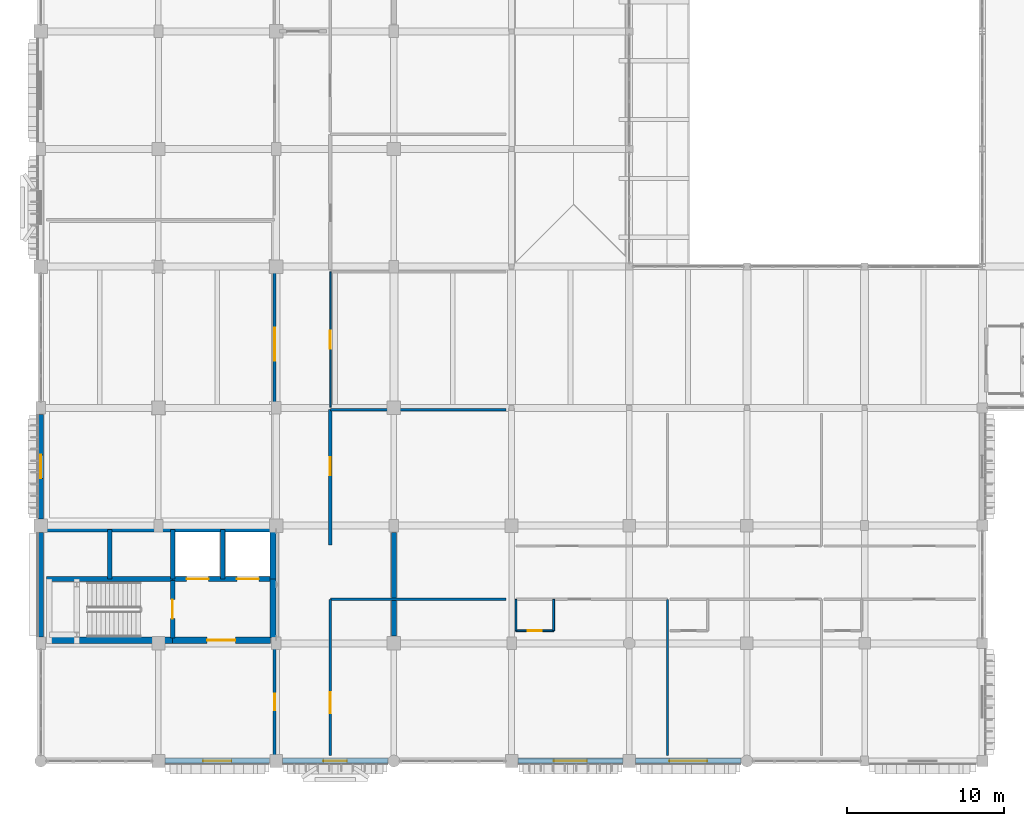
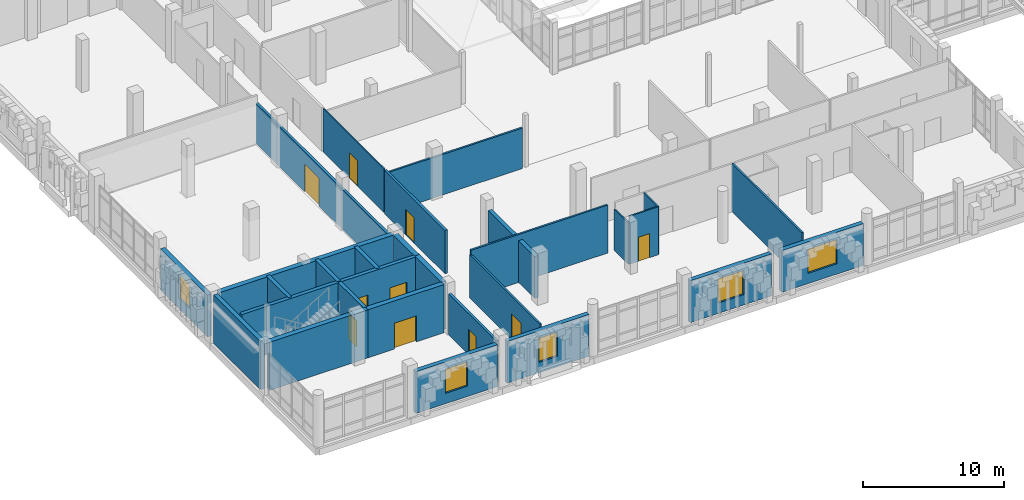
# One storey, part 95 of 128: 29 walls, 10 doors, 5 windows, 15 openings.
"""IFC4 building model written with IfcOpenShell, lengths in metres."""

from ifc_helpers import new_model, si_unit, direction, frame, frame_2d, origin, place, context, subcontext, project, spatial, rectangle, extrude, material, layer, layer_set, type_object, element, fill, save


model = new_model("IFC4")

# Units and contexts
model_context = context("Model", 3, precision=1e-05, world=origin(), true_north=direction((0.0, 1.0)))
body_context = subcontext(model_context, "Body", "Model", "MODEL_VIEW")
ifc_project = project(units=[si_unit("LENGTHUNIT", "METRE"), si_unit("AREAUNIT", "SQUARE_METRE"), si_unit("VOLUMEUNIT", "CUBIC_METRE"), si_unit("PLANEANGLEUNIT", "RADIAN"), si_unit("MASSUNIT", "GRAM", prefix="KILO")], contexts=[model_context])

# Site, building, storey
site_placement = place(None, origin())
site = spatial("IfcSite", under=ifc_project, at=site_placement, CompositionType="ELEMENT")
building_placement = place(site_placement, origin())
building = spatial("IfcBuilding", under=site, at=building_placement, Name="Dalvernix Boulevard General Hospital", CompositionType="ELEMENT")
storey_placement = place(building_placement, frame((0.0, 0.0, 4.800048828125)))
storey = spatial("IfcBuildingStorey", under=building, at=storey_placement, Name="L01", CompositionType="ELEMENT", Elevation=4.800048828125)

# Wall
ifc_material_1 = material(Name="Concrete C40/50", Category="concrete")
ifc_layer_1 = layer(ifc_material_1, 0.39990234375)
ifc_layer_set_1 = layer_set([ifc_layer_1], Name="Concrete C40/50 (WAL-CSW-01)")
wall_type_1 = type_object("IfcWallType", Name="WAL-CSW-01", PredefinedType="SHEAR", material=ifc_layer_set_1)
wall_1_placement = place(storey_placement, frame((0.35009765625, 7.699951171875, 0.0), z_axis=(0.0, 0.0, 1.0), x_axis=(1.0, 0.0, 0.0)))
element("IfcWall", 1, at=wall_1_placement, inside=storey, type_object=wall_type_1, Name="L01 C1 south stairwell wall", PredefinedType="SHEAR", context=body_context, shape_type="SweptSolid", body=[
    extrude(rectangle(XDim=8.0498046875, YDim=0.39990234375, at=frame_2d((4.02490234375, 0.0))), origin(), (0.0, 0.0, 1.0), 4.179931640625),
])

# Wall, opening, door
wall_2_placement = place(storey_placement, frame((8.39990234375, 7.699951171875, 0.0), z_axis=(0.0, 0.0, 1.0), x_axis=(1.0, 0.0, 0.0)))
wall_2 = element("IfcWall", 2, at=wall_2_placement, inside=storey, type_object=wall_type_1, Name="L01 C1 south firefighting lobby wall", PredefinedType="SHEAR", context=body_context, shape_type="SweptSolid", body=[
    extrude(rectangle(XDim=6.25, YDim=0.39990234375, at=frame_2d((3.125, 0.0))), origin(), (0.0, 0.0, 1.0), 4.179931640625),
])
opening_1_placement = place(wall_2_placement, frame((2.199951171875, 0.0, 0.0)))
opening_1 = element("IfcOpeningElement", 3, at=opening_1_placement, cuts=wall_2, Name="Opening FD-01", PredefinedType="OPENING", context=body_context, shape_type="SweptSolid", body=[
    extrude(rectangle(XDim=1.800048828125, YDim=2.25, at=frame_2d((0.89990234375, 1.125))), frame((0.0, 0.2099609375, 0.0), z_axis=(0.0, -1.0, 0.0), x_axis=(1.0, 0.0, 0.0)), (0.0, 0.0, 1.0), 0.419921875),
])
ifc_material_2 = material(Name="Hospital laminate acoustic timber and steel frame", Category="steel")
door_type_1 = type_object("IfcDoorType", Name="DR-FD-01", OperationType="DOUBLE_DOOR_SINGLE_SWING", PredefinedType="DOOR", material=ifc_material_2)
door_1_placement = place(opening_1_placement, origin())
door_1 = element("IfcDoor", 4, at=door_1_placement, inside=storey, type_object=door_type_1, Name="L01 C1 firefighting lobby door", OperationType="DOUBLE_DOOR_SINGLE_SWING", OverallHeight=2.25, OverallWidth=1.800048828125, PredefinedType="DOOR", context=body_context, shape_type="SweptSolid", body=[
    extrude(rectangle(XDim=1.800048828125, YDim=2.25, at=frame_2d((0.89990234375, 1.125))), frame((0.0, 0.02490234375, 0.0), z_axis=(0.0, -1.0, 0.0), x_axis=(1.0, 0.0, 0.0)), (0.0, 0.0, 1.0), 0.050048828125),
])
fill(opening_1, door_1)

# Walls
wall_3_placement = place(storey_placement, frame((0.35009765625, 14.800048828125, 0.0), z_axis=(0.0, 0.0, 1.0), x_axis=(1.0, 0.0, 0.0)))
element("IfcWall", 5, at=wall_3_placement, inside=storey, type_object=wall_type_1, Name="L01 C1 north shaft core wall", PredefinedType="SHEAR", context=body_context, shape_type="SweptSolid", body=[
    extrude(rectangle(XDim=14.2998046875, YDim=0.39990234375, at=frame_2d((7.14990234375, 0.0))), origin(), (0.0, 0.0, 1.0), 4.179931640625),
])
wall_4_placement = place(storey_placement, frame((14.800048828125, 7.85009765625, 0.0), z_axis=(0.0, 0.0, 1.0), x_axis=(0.0, 1.0, 0.0)))
element("IfcWall", 6, at=wall_4_placement, inside=storey, type_object=wall_type_1, Name="L01 C1 east lobby core wall", PredefinedType="SHEAR", context=body_context, shape_type="SweptSolid", body=[
    extrude(rectangle(XDim=3.75, YDim=0.39990234375, at=frame_2d((1.875, 0.0))), origin(), (0.0, 0.0, 1.0), 4.179931640625),
])
wall_5_placement = place(storey_placement, frame((14.800048828125, 11.60009765625, 0.0), z_axis=(0.0, 0.0, 1.0), x_axis=(0.0, 1.0, 0.0)))
element("IfcWall", 7, at=wall_5_placement, inside=storey, type_object=wall_type_1, Name="L01 C1 east shaft core wall", PredefinedType="SHEAR", context=body_context, shape_type="SweptSolid", body=[
    extrude(rectangle(XDim=3.0498046875, YDim=0.39990234375, at=frame_2d((1.52490234375, 0.0))), origin(), (0.0, 0.0, 1.0), 4.179931640625),
])
ifc_layer_2 = layer(ifc_material_1, 0.300048828125)
ifc_layer_set_2 = layer_set([ifc_layer_2], Name="Concrete C40/50 (WAL-CSW-02)")
wall_type_2 = type_object("IfcWallType", Name="WAL-CSW-02", PredefinedType="SHEAR", material=ifc_layer_set_2)
wall_6_placement = place(storey_placement, frame((0.35009765625, 11.60009765625, 0.0), z_axis=(0.0, 0.0, 1.0), x_axis=(1.0, 0.0, 0.0)))
element("IfcWall", 8, at=wall_6_placement, inside=storey, type_object=wall_type_2, Name="L01 C1 riser spine wall", PredefinedType="SHEAR", context=body_context, shape_type="SweptSolid", body=[
    extrude(rectangle(XDim=8.0498046875, YDim=0.300048828125, at=frame_2d((4.02490234375, 0.0))), origin(), (0.0, 0.0, 1.0), 4.179931640625),
])

# Wall, openings, doors
wall_7_placement = place(storey_placement, frame((8.39990234375, 11.60009765625, 0.0), z_axis=(0.0, 0.0, 1.0), x_axis=(1.0, 0.0, 0.0)))
wall_7 = element("IfcWall", 9, at=wall_7_placement, inside=storey, type_object=wall_type_2, Name="L01 C1 lift shaft front wall", PredefinedType="SHEAR", context=body_context, shape_type="SweptSolid", body=[
    extrude(rectangle(XDim=6.25, YDim=0.300048828125, at=frame_2d((3.125, 0.0))), origin(), (0.0, 0.0, 1.0), 4.179931640625),
])
opening_2_placement = place(wall_7_placement, frame((0.89990234375, 0.0, 0.0)))
opening_2 = element("IfcOpeningElement", 10, at=opening_2_placement, cuts=wall_7, Name="Opening LD-FFL-01-L01", PredefinedType="OPENING", context=body_context, shape_type="SweptSolid", body=[
    extrude(rectangle(XDim=1.39990234375, YDim=2.25, at=frame_2d((0.699951171875, 1.125))), frame((0.0, 0.159912109375, 0.0), z_axis=(0.0, -1.0, 0.0), x_axis=(1.0, 0.0, 0.0)), (0.0, 0.0, 1.0), 0.320068359375),
])
opening_3_placement = place(wall_7_placement, frame((4.10009765625, 0.0, 0.0)))
opening_3 = element("IfcOpeningElement", 11, at=opening_3_placement, cuts=wall_7, Name="Opening LD-FFL-02-L01", PredefinedType="OPENING", context=body_context, shape_type="SweptSolid", body=[
    extrude(rectangle(XDim=1.39990234375, YDim=2.25, at=frame_2d((0.699951171875, 1.125))), frame((0.0, 0.159912109375, 0.0), z_axis=(0.0, -1.0, 0.0), x_axis=(1.0, 0.0, 0.0)), (0.0, 0.0, 1.0), 0.320068359375),
])
ifc_material_3 = material(Name="Stainless-clad steel", Category="steel")
door_type_2 = type_object("IfcDoorType", Name="DR-LD-01", OperationType="DOUBLE_DOOR_SLIDING", PredefinedType="DOOR", material=ifc_material_3)
door_2_placement = place(opening_2_placement, origin())
door_2 = element("IfcDoor", 12, at=door_2_placement, inside=storey, type_object=door_type_2, Name="L01 Lift FFL-01 sliding landing door", OperationType="DOUBLE_DOOR_SLIDING", OverallHeight=2.25, OverallWidth=1.39990234375, PredefinedType="DOOR", context=body_context, shape_type="SweptSolid", body=[
    extrude(rectangle(XDim=1.39990234375, YDim=2.25, at=frame_2d((0.699951171875, 1.125))), frame((0.0, 0.02490234375, 0.0), z_axis=(0.0, -1.0, 0.0), x_axis=(1.0, 0.0, 0.0)), (0.0, 0.0, 1.0), 0.050048828125),
])
fill(opening_2, door_2)
door_3_placement = place(opening_3_placement, origin())
door_3 = element("IfcDoor", 13, at=door_3_placement, inside=storey, type_object=door_type_2, Name="L01 Lift FFL-02 sliding landing door", OperationType="DOUBLE_DOOR_SLIDING", OverallHeight=2.25, OverallWidth=1.39990234375, PredefinedType="DOOR", context=body_context, shape_type="SweptSolid", body=[
    extrude(rectangle(XDim=1.39990234375, YDim=2.25, at=frame_2d((0.699951171875, 1.125))), frame((0.0, 0.02490234375, 0.0), z_axis=(0.0, -1.0, 0.0), x_axis=(1.0, 0.0, 0.0)), (0.0, 0.0, 1.0), 0.050048828125),
])
fill(opening_3, door_3)

# Wall, opening, door
wall_8_placement = place(storey_placement, frame((8.39990234375, 11.5, 0.0), z_axis=(0.0, 0.0, 1.0), x_axis=(0.0, -1.0, 0.0)))
wall_8 = element("IfcWall", 14, at=wall_8_placement, inside=storey, type_object=wall_type_2, Name="L01 C1 stairwell fire wall", PredefinedType="SHEAR", context=body_context, shape_type="SweptSolid", body=[
    extrude(rectangle(XDim=3.64990234375, YDim=0.300048828125, at=frame_2d((1.824951171875, 0.0))), origin(), (0.0, 0.0, 1.0), 4.179931640625),
])
opening_4_placement = place(wall_8_placement, frame((1.219970703125, 0.0, 0.0)))
opening_4 = element("IfcOpeningElement", 15, at=opening_4_placement, cuts=wall_8, Name="Opening FD-02", PredefinedType="OPENING", context=body_context, shape_type="SweptSolid", body=[
    extrude(rectangle(XDim=1.199951171875, YDim=2.25, at=frame_2d((0.60009765625, 1.125))), frame((0.0, 0.159912109375, 0.0), z_axis=(0.0, -1.0, 0.0), x_axis=(1.0, 0.0, 0.0)), (0.0, 0.0, 1.0), 0.320068359375),
])
door_type_3 = type_object("IfcDoorType", Name="DR-FD-02", OperationType="NOTDEFINED", PredefinedType="DOOR", material=ifc_material_2)
door_4_placement = place(opening_4_placement, origin())
door_4 = element("IfcDoor", 16, at=door_4_placement, inside=storey, type_object=door_type_3, Name="L01 Stair ST-01 fire door", OperationType="SINGLE_SWING_LEFT", OverallHeight=2.25, OverallWidth=1.199951171875, PredefinedType="DOOR", context=body_context, shape_type="SweptSolid", body=[
    extrude(rectangle(XDim=1.199951171875, YDim=2.25, at=frame_2d((0.60009765625, 1.125))), frame((0.0, 0.02490234375, 0.0), z_axis=(0.0, -1.0, 0.0), x_axis=(1.0, 0.0, 0.0)), (0.0, 0.0, 1.0), 0.050048828125),
])
fill(opening_4, door_4)

# Walls
for number, where, z_axis, x_axis, name in (
    (17, (4.39990234375, 11.60009765625, 0.0), (0.0, 0.0, 1.0), (0.0, 1.0, 0.0), "L01 C1 shaft divider R1"),
    (18, (8.39990234375, 11.60009765625, 0.0), (0.0, 0.0, 1.0), (0.0, 1.0, 0.0), "L01 C1 shaft divider R2"),
    (19, (11.60009765625, 11.60009765625, 0.0), (0.0, 0.0, 1.0), (0.0, 1.0, 0.0), "L01 C1 shaft divider L1"),
):
    element("IfcWall", number, at=place(storey_placement, frame(where, z_axis=z_axis, x_axis=x_axis)), inside=storey, type_object=wall_type_2, Name=name, PredefinedType="SHEAR", context=body_context, shape_type="SweptSolid", body=[
        extrude(rectangle(XDim=3.14990234375, YDim=0.300048828125, at=frame_2d((1.574951171875, 0.0))), origin(), (0.0, 0.0, 1.0), 4.179931640625),
    ])
ifc_layer_3 = layer(ifc_material_1, 0.35009765625)
ifc_layer_set_3 = layer_set([ifc_layer_3], Name="Concrete C40/50 (WAL-ESW-01)")
wall_type_3 = type_object("IfcWallType", Name="WAL-ESW-01", PredefinedType="SHEAR", material=ifc_layer_set_3)
wall_9_placement = place(storey_placement, frame((0.0, 7.909912109375, 0.0), z_axis=(0.0, 0.0, 1.0), x_axis=(0.0, 1.0, 0.0)))
element("IfcWall", 20, at=wall_9_placement, inside=storey, type_object=wall_type_3, Name="L01 core perimeter shear wall W 0-1", PredefinedType="SHEAR", context=body_context, shape_type="SweptSolid", body=[
    extrude(rectangle(XDim=6.655029296875, YDim=0.35009765625, at=frame_2d((3.32763671875, 0.0))), origin(), (0.0, 0.0, 1.0), 4.179931640625),
])
ifc_layer_4 = layer(ifc_material_1, 0.320068359375)
ifc_layer_set_4 = layer_set([ifc_layer_4], Name="Concrete C40/50 (WAL-ESW-02)")
wall_type_4 = type_object("IfcWallType", Name="WAL-ESW-02", PredefinedType="SHEAR", material=ifc_layer_set_4)
wall_10_placement = place(storey_placement, frame((22.5, 7.949951171875, 0.0), z_axis=(0.0, 0.0, 1.0), x_axis=(0.0, 1.0, 0.0)))
element("IfcWall", 21, at=wall_10_placement, inside=storey, type_object=wall_type_4, Name="L01 reinforced concrete shear wall 1", PredefinedType="SHEAR", context=body_context, shape_type="SweptSolid", body=[
    extrude(rectangle(XDim=6.60009765625, YDim=0.320068359375, at=frame_2d((3.300048828125, 0.0))), origin(), (0.0, 0.0, 1.0), 3.6298828125),
])

# Wall, opening, window
ifc_material_4 = material(Name="Pressed Catalan clay brick and insulated concrete cavity wall C35/45", Category="masonry")
ifc_layer_5 = layer(ifc_material_4, 0.35009765625)
ifc_layer_set_5 = layer_set([ifc_layer_5], Name="Pressed Catalan clay brick and insulated concrete cavity wall C35/45 (WAL-EW-01)")
wall_type_5 = type_object("IfcWallType", Name="WAL-EW-01", PredefinedType="STANDARD", material=ifc_layer_set_5)
wall_11_placement = place(storey_placement, frame((0.0, 15.43505859375, 0.0), z_axis=(0.0, 0.0, 1.0), x_axis=(0.0, 1.0, 0.0)))
wall_11 = element("IfcWall", 22, at=wall_11_placement, inside=storey, type_object=wall_type_5, Name="L01 Catalan brick external wall W 0-2", PredefinedType="STANDARD", context=body_context, shape_type="SweptSolid", body=[
    extrude(rectangle(XDim=6.655029296875, YDim=0.35009765625, at=frame_2d((3.32763671875, 0.0))), origin(), (0.0, 0.0, 1.0), 3.6298828125),
])
opening_5_placement = place(wall_11_placement, frame((2.577392578125, 0.0, 0.89990234375)))
opening_5 = element("IfcOpeningElement", 23, at=opening_5_placement, cuts=wall_11, Name="Opening WN-06", PredefinedType="OPENING", context=body_context, shape_type="SweptSolid", body=[
    extrude(rectangle(XDim=1.5, YDim=2.10009765625, at=frame_2d((0.75, 1.050048828125))), frame((0.0, 0.18505859375, 0.0), z_axis=(0.0, -1.0, 0.0), x_axis=(1.0, 0.0, 0.0)), (0.0, 0.0, 1.0), 0.3701171875),
])
ifc_material_5 = material(Name="Thermally broken aluminium frame with solar-control double glazing", Category="aluminium")
window_type_1 = type_object("IfcWindowType", Name="WIN-WN-06", PartitioningType="SINGLE_PANEL", PredefinedType="WINDOW", material=ifc_material_5)
window_1_placement = place(opening_5_placement, origin())
window_1 = element("IfcWindow", 24, at=window_1_placement, inside=storey, type_object=window_type_1, Name="L01 clinical window WN-06 W 0-2", OverallHeight=2.10009765625, OverallWidth=1.5, PartitioningType="SINGLE_PANEL", PredefinedType="WINDOW", context=body_context, shape_type="SweptSolid", body=[
    extrude(rectangle(XDim=1.5, YDim=2.10009765625, at=frame_2d((0.75, 1.050048828125))), frame((0.0, 0.030029296875, 0.0), z_axis=(0.0, -1.0, 0.0), x_axis=(1.0, 0.0, 0.0)), (0.0, 0.0, 1.0), 0.06005859375),
])
fill(opening_5, window_1)

wall_12_placement = place(storey_placement, frame((14.590087890625, 0.0, 0.0), z_axis=(0.0, 0.0, 1.0), x_axis=(-1.0, 0.0, 0.0)))
wall_12 = element("IfcWall", 25, at=wall_12_placement, inside=storey, type_object=wall_type_5, Name="L01 Catalan brick external wall S 1-0", PredefinedType="STANDARD", context=body_context, shape_type="SweptSolid", body=[
    extrude(rectangle(XDim=6.68017578125, YDim=0.35009765625, at=frame_2d((3.340087890625, 0.0))), origin(), (0.0, 0.0, 1.0), 3.6298828125),
])
opening_6_placement = place(wall_12_placement, frame((2.43994140625, 0.0, 0.89990234375)))
opening_6 = element("IfcOpeningElement", 26, at=opening_6_placement, cuts=wall_12, Name="Opening WN-05", PredefinedType="OPENING", context=body_context, shape_type="SweptSolid", body=[
    extrude(rectangle(XDim=1.800048828125, YDim=2.10009765625, at=frame_2d((0.89990234375, 1.050048828125))), frame((0.0, 0.18505859375, 0.0), z_axis=(0.0, -1.0, 0.0), x_axis=(1.0, 0.0, 0.0)), (0.0, 0.0, 1.0), 0.3701171875),
])
window_type_2 = type_object("IfcWindowType", Name="WIN-WN-05", PartitioningType="SINGLE_PANEL", PredefinedType="WINDOW", material=ifc_material_5)
window_2_placement = place(opening_6_placement, origin())
window_2 = element("IfcWindow", 27, at=window_2_placement, inside=storey, type_object=window_type_2, Name="L01 clinical window WN-05 S 1-0", OverallHeight=2.10009765625, OverallWidth=1.800048828125, PartitioningType="SINGLE_PANEL", PredefinedType="WINDOW", context=body_context, shape_type="SweptSolid", body=[
    extrude(rectangle(XDim=1.800048828125, YDim=2.10009765625, at=frame_2d((0.89990234375, 1.050048828125))), frame((0.0, 0.030029296875, 0.0), z_axis=(0.0, -1.0, 0.0), x_axis=(1.0, 0.0, 0.0)), (0.0, 0.0, 1.0), 0.06005859375),
])
fill(opening_6, window_2)

wall_13_placement = place(storey_placement, frame((22.114990234375, 0.0, 0.0), z_axis=(0.0, 0.0, 1.0), x_axis=(-1.0, 0.0, 0.0)))
wall_13 = element("IfcWall", 28, at=wall_13_placement, inside=storey, type_object=wall_type_5, Name="L01 Catalan brick external wall S 2-0", PredefinedType="STANDARD", context=body_context, shape_type="SweptSolid", body=[
    extrude(rectangle(XDim=6.705078125, YDim=0.35009765625, at=frame_2d((3.3525390625, 0.0))), origin(), (0.0, 0.0, 1.0), 3.6298828125),
])
opening_7_placement = place(wall_13_placement, frame((2.6025390625, 0.0, 0.89990234375)))
opening_7 = element("IfcOpeningElement", 29, at=opening_7_placement, cuts=wall_13, Name="Opening WN-06", PredefinedType="OPENING", context=body_context, shape_type="SweptSolid", body=[
    extrude(rectangle(XDim=1.5, YDim=2.10009765625, at=frame_2d((0.75, 1.050048828125))), frame((0.0, 0.18505859375, 0.0), z_axis=(0.0, -1.0, 0.0), x_axis=(1.0, 0.0, 0.0)), (0.0, 0.0, 1.0), 0.3701171875),
])
window_3_placement = place(opening_7_placement, origin())
window_3 = element("IfcWindow", 30, at=window_3_placement, inside=storey, type_object=window_type_1, Name="L01 clinical window WN-06 S 2-0", OverallHeight=2.10009765625, OverallWidth=1.5, PartitioningType="SINGLE_PANEL", PredefinedType="WINDOW", context=body_context, shape_type="SweptSolid", body=[
    extrude(rectangle(XDim=1.5, YDim=2.10009765625, at=frame_2d((0.75, 1.050048828125))), frame((0.0, 0.030029296875, 0.0), z_axis=(0.0, -1.0, 0.0), x_axis=(1.0, 0.0, 0.0)), (0.0, 0.0, 1.0), 0.06005859375),
])
fill(opening_7, window_3)

wall_14_placement = place(storey_placement, frame((37.090087890625, 0.0, 0.0), z_axis=(0.0, 0.0, 1.0), x_axis=(-1.0, 0.0, 0.0)))
wall_14 = element("IfcWall", 31, at=wall_14_placement, inside=storey, type_object=wall_type_5, Name="L01 Catalan brick external wall S 4-0", PredefinedType="STANDARD", context=body_context, shape_type="SweptSolid", body=[
    extrude(rectangle(XDim=6.68017578125, YDim=0.35009765625, at=frame_2d((3.340087890625, 0.0))), origin(), (0.0, 0.0, 1.0), 3.6298828125),
])
opening_8_placement = place(wall_14_placement, frame((2.2900390625, 0.0, 0.89990234375)))
opening_8 = element("IfcOpeningElement", 32, at=opening_8_placement, cuts=wall_14, Name="Opening WN-08", PredefinedType="OPENING", context=body_context, shape_type="SweptSolid", body=[
    extrude(rectangle(XDim=2.10009765625, YDim=2.10009765625, at=frame_2d((1.050048828125, 1.050048828125))), frame((0.0, 0.18505859375, 0.0), z_axis=(0.0, -1.0, 0.0), x_axis=(1.0, 0.0, 0.0)), (0.0, 0.0, 1.0), 0.3701171875),
])
window_type_3 = type_object("IfcWindowType", Name="WIN-WN-08", PartitioningType="SINGLE_PANEL", PredefinedType="WINDOW", material=ifc_material_5)
window_4_placement = place(opening_8_placement, origin())
window_4 = element("IfcWindow", 33, at=window_4_placement, inside=storey, type_object=window_type_3, Name="L01 clinical window WN-08 S 4-0", OverallHeight=2.10009765625, OverallWidth=2.10009765625, PartitioningType="SINGLE_PANEL", PredefinedType="WINDOW", context=body_context, shape_type="SweptSolid", body=[
    extrude(rectangle(XDim=2.10009765625, YDim=2.10009765625, at=frame_2d((1.050048828125, 1.050048828125))), frame((0.0, 0.030029296875, 0.0), z_axis=(0.0, -1.0, 0.0), x_axis=(1.0, 0.0, 0.0)), (0.0, 0.0, 1.0), 0.06005859375),
])
fill(opening_8, window_4)

wall_15_placement = place(storey_placement, frame((44.614990234375, 0.0, 0.0), z_axis=(0.0, 0.0, 1.0), x_axis=(-1.0, 0.0, 0.0)))
wall_15 = element("IfcWall", 34, at=wall_15_placement, inside=storey, type_object=wall_type_5, Name="L01 Catalan brick external wall S 5-0", PredefinedType="STANDARD", context=body_context, shape_type="SweptSolid", body=[
    extrude(rectangle(XDim=6.705078125, YDim=0.35009765625, at=frame_2d((3.3525390625, 0.0))), origin(), (0.0, 0.0, 1.0), 3.6298828125),
])
opening_9_placement = place(wall_15_placement, frame((2.152587890625, 0.0, 0.89990234375)))
opening_9 = element("IfcOpeningElement", 35, at=opening_9_placement, cuts=wall_15, Name="Opening WN-09", PredefinedType="OPENING", context=body_context, shape_type="SweptSolid", body=[
    extrude(rectangle(XDim=2.39990234375, YDim=2.10009765625, at=frame_2d((1.199951171875, 1.050048828125))), frame((0.0, 0.18505859375, 0.0), z_axis=(0.0, -1.0, 0.0), x_axis=(1.0, 0.0, 0.0)), (0.0, 0.0, 1.0), 0.3701171875),
])
window_type_4 = type_object("IfcWindowType", Name="WIN-WN-09", PartitioningType="SINGLE_PANEL", PredefinedType="WINDOW", material=ifc_material_5)
window_5_placement = place(opening_9_placement, origin())
window_5 = element("IfcWindow", 36, at=window_5_placement, inside=storey, type_object=window_type_4, Name="L01 clinical window WN-09 S 5-0", OverallHeight=2.10009765625, OverallWidth=2.39990234375, PartitioningType="SINGLE_PANEL", PredefinedType="WINDOW", context=body_context, shape_type="SweptSolid", body=[
    extrude(rectangle(XDim=2.39990234375, YDim=2.10009765625, at=frame_2d((1.199951171875, 1.050048828125))), frame((0.0, 0.030029296875, 0.0), z_axis=(0.0, -1.0, 0.0), x_axis=(1.0, 0.0, 0.0)), (0.0, 0.0, 1.0), 0.06005859375),
])
fill(opening_9, window_5)

# Wall, opening, door
ifc_material_6 = material(Name="Fire-compartment corridor masonry wall", Category="masonry")
ifc_layer_6 = layer(ifc_material_6, 0.199951171875)
ifc_layer_set_6 = layer_set([ifc_layer_6], Name="Fire-compartment corridor masonry wall (WAL-IW-02)")
wall_type_6 = type_object("IfcWallType", Name="WAL-IW-02", PredefinedType="STANDARD", material=ifc_layer_set_6)
wall_16_placement = place(storey_placement, frame((14.89990234375, 15.300048828125, 0.0), z_axis=(0.0, 0.0, 1.0), x_axis=(0.0, 1.0, 0.0)))
wall_16 = element("IfcWall", 37, at=wall_16_placement, inside=storey, type_object=wall_type_6, Name="L01 Medical Lecture Auditorium corridor wall", PredefinedType="STANDARD", context=body_context, shape_type="SweptSolid", body=[
    extrude(rectangle(XDim=19.199951171875, YDim=0.199951171875, at=frame_2d((9.60009765625, 0.0))), origin(), (0.0, 0.0, 1.0), 3.46484375),
])
opening_10_placement = place(wall_16_placement, frame((10.2099609375, 0.0, 0.0)))
opening_10 = element("IfcOpeningElement", 38, at=opening_10_placement, cuts=wall_16, Name="Opening ID-13", PredefinedType="OPENING", context=body_context, shape_type="SweptSolid", body=[
    extrude(rectangle(XDim=2.10009765625, YDim=2.39990234375, at=frame_2d((1.050048828125, 1.199951171875))), frame((0.0, 0.10986328125, 0.0), z_axis=(0.0, -1.0, 0.0), x_axis=(1.0, 0.0, 0.0)), (0.0, 0.0, 1.0), 0.219970703125),
])
door_type_4 = type_object("IfcDoorType", Name="DR-ID-13", OperationType="DOUBLE_DOOR_SINGLE_SWING", PredefinedType="DOOR", material=ifc_material_2)
door_5_placement = place(opening_10_placement, origin())
door_5 = element("IfcDoor", 39, at=door_5_placement, inside=storey, type_object=door_type_4, Name="L01 Medical Lecture Auditorium door", OperationType="DOUBLE_DOOR_SINGLE_SWING", OverallHeight=2.39990234375, OverallWidth=2.10009765625, PredefinedType="DOOR", context=body_context, shape_type="SweptSolid", body=[
    extrude(rectangle(XDim=2.10009765625, YDim=2.39990234375, at=frame_2d((1.050048828125, 1.199951171875))), frame((0.0, 0.02490234375, 0.0), z_axis=(0.0, -1.0, 0.0), x_axis=(1.0, 0.0, 0.0)), (0.0, 0.0, 1.0), 0.050048828125),
])
fill(opening_10, door_5)

wall_17_placement = place(storey_placement, frame((14.89990234375, 0.35009765625, 0.0), z_axis=(0.0, 0.0, 1.0), x_axis=(0.0, 1.0, 0.0)))
wall_17 = element("IfcWall", 40, at=wall_17_placement, inside=storey, type_object=wall_type_6, Name="L01 Clinical Teaching Seminar Room 01 corridor wall", PredefinedType="STANDARD", context=body_context, shape_type="SweptSolid", body=[
    extrude(rectangle(XDim=6.7998046875, YDim=0.199951171875, at=frame_2d((3.39990234375, 0.0))), origin(), (0.0, 0.0, 1.0), 3.56494140625),
])
opening_11_placement = place(wall_17_placement, frame((2.875, 0.0, 0.0)))
opening_11 = element("IfcOpeningElement", 41, at=opening_11_placement, cuts=wall_17, Name="Opening ID-07", PredefinedType="OPENING", context=body_context, shape_type="SweptSolid", body=[
    extrude(rectangle(XDim=1.050048828125, YDim=2.199951171875, at=frame_2d((0.52490234375, 1.10009765625))), frame((0.0, 0.10986328125, 0.0), z_axis=(0.0, -1.0, 0.0), x_axis=(1.0, 0.0, 0.0)), (0.0, 0.0, 1.0), 0.219970703125),
])
door_type_5 = type_object("IfcDoorType", Name="DR-ID-07", OperationType="NOTDEFINED", PredefinedType="DOOR", material=ifc_material_2)
door_6_placement = place(opening_11_placement, origin())
door_6 = element("IfcDoor", 42, at=door_6_placement, inside=storey, type_object=door_type_5, Name="L01 Clinical Teaching Seminar Room 01 door", OperationType="SINGLE_SWING_RIGHT", OverallHeight=2.199951171875, OverallWidth=1.050048828125, PredefinedType="DOOR", context=body_context, shape_type="SweptSolid", body=[
    extrude(rectangle(XDim=1.050048828125, YDim=2.199951171875, at=frame_2d((0.52490234375, 1.10009765625))), frame((0.0, 0.02490234375, 0.0), z_axis=(0.0, -1.0, 0.0), x_axis=(1.0, 0.0, 0.0)), (0.0, 0.0, 1.0), 0.050048828125),
])
fill(opening_11, door_6)

wall_18_placement = place(storey_placement, frame((18.449951171875, 22.39208984375, 0.0), z_axis=(0.0, 0.0, 1.0), x_axis=(0.0, -1.0, 0.0)))
wall_18 = element("IfcWall", 43, at=wall_18_placement, inside=storey, type_object=wall_type_6, Name="L01 Ward Nurse Station and Medication Prep L01 corridor wall", PredefinedType="STANDARD", context=body_context, shape_type="SweptSolid", body=[
    extrude(rectangle(XDim=8.612060546875, YDim=0.199951171875, at=frame_2d((4.30615234375, 0.0))), origin(), (0.0, 0.0, 1.0), 3.764892578125),
])
opening_12_placement = place(wall_18_placement, frame((3.034912109375, 0.0, 0.0)))
opening_12 = element("IfcOpeningElement", 44, at=opening_12_placement, cuts=wall_18, Name="Opening ID-08", PredefinedType="OPENING", context=body_context, shape_type="SweptSolid", body=[
    extrude(rectangle(XDim=1.14990234375, YDim=2.199951171875, at=frame_2d((0.574951171875, 1.10009765625))), frame((0.0, 0.10986328125, 0.0), z_axis=(0.0, -1.0, 0.0), x_axis=(1.0, 0.0, 0.0)), (0.0, 0.0, 1.0), 0.219970703125),
])
door_type_6 = type_object("IfcDoorType", Name="DR-ID-08", OperationType="NOTDEFINED", PredefinedType="DOOR", material=ifc_material_2)
door_7_placement = place(opening_12_placement, origin())
door_7 = element("IfcDoor", 45, at=door_7_placement, inside=storey, type_object=door_type_6, Name="L01 Ward Nurse Station and Medication Prep L01 door", OperationType="SINGLE_SWING_RIGHT", OverallHeight=2.199951171875, OverallWidth=1.14990234375, PredefinedType="DOOR", context=body_context, shape_type="SweptSolid", body=[
    extrude(rectangle(XDim=1.14990234375, YDim=2.199951171875, at=frame_2d((0.574951171875, 1.10009765625))), frame((0.0, 0.02490234375, 0.0), z_axis=(0.0, -1.0, 0.0), x_axis=(1.0, 0.0, 0.0)), (0.0, 0.0, 1.0), 0.050048828125),
])
fill(opening_12, door_7)

ifc_material_7 = material(Name="Acoustic double-stud gypsum inpatient partition")
ifc_layer_7 = layer(ifc_material_7, 0.14990234375)
ifc_layer_set_7 = layer_set([ifc_layer_7], Name="Acoustic double-stud gypsum inpatient partition (WAL-IW-04)")
wall_type_7 = type_object("IfcWallType", Name="WAL-IW-04", PredefinedType="PARTITIONING", material=ifc_layer_set_7)
wall_19_placement = place(storey_placement, frame((18.449951171875, 10.300048828125, 0.0), z_axis=(0.0, 0.0, 1.0), x_axis=(0.0, -1.0, 0.0)))
wall_19 = element("IfcWall", 46, at=wall_19_placement, inside=storey, type_object=wall_type_7, Name="L01 Clinical Reception and Triage L01 corridor wall", PredefinedType="PARTITIONING", context=body_context, shape_type="SweptSolid", body=[
    extrude(rectangle(XDim=9.949951171875, YDim=0.14990234375, at=frame_2d((4.97509765625, 0.0))), origin(), (0.0, 0.0, 1.0), 3.764892578125),
])
opening_13_placement = place(wall_19_placement, frame((5.919921875, 0.0, 0.0)))
opening_13 = element("IfcOpeningElement", 47, at=opening_13_placement, cuts=wall_19, Name="Opening ID-01", PredefinedType="OPENING", context=body_context, shape_type="SweptSolid", body=[
    extrude(rectangle(XDim=1.35009765625, YDim=2.25, at=frame_2d((0.675048828125, 1.125))), frame((0.0, 0.0849609375, 0.0), z_axis=(0.0, -1.0, 0.0), x_axis=(1.0, 0.0, 0.0)), (0.0, 0.0, 1.0), 0.169921875),
])
door_type_7 = type_object("IfcDoorType", Name="DR-ID-01", OperationType="NOTDEFINED", PredefinedType="DOOR", material=ifc_material_2)
door_8_placement = place(opening_13_placement, origin())
door_8 = element("IfcDoor", 48, at=door_8_placement, inside=storey, type_object=door_type_7, Name="L01 Clinical Reception and Triage L01 door", OperationType="SINGLE_SWING_LEFT", OverallHeight=2.25, OverallWidth=1.35009765625, PredefinedType="DOOR", context=body_context, shape_type="SweptSolid", body=[
    extrude(rectangle(XDim=1.35009765625, YDim=2.25, at=frame_2d((0.675048828125, 1.125))), frame((0.0, 0.02490234375, 0.0), z_axis=(0.0, -1.0, 0.0), x_axis=(1.0, 0.0, 0.0)), (0.0, 0.0, 1.0), 0.050048828125),
])
fill(opening_13, door_8)

# Walls
wall_20_placement = place(storey_placement, frame((18.449951171875, 10.300048828125, 0.0), z_axis=(0.0, 0.0, 1.0), x_axis=(1.0, 0.0, 0.0)))
element("IfcWall", 49, at=wall_20_placement, inside=storey, type_object=wall_type_7, Name="L01 Clinical Reception and Triage L01 partition", PredefinedType="PARTITIONING", context=body_context, shape_type="SweptSolid", body=[
    extrude(rectangle(XDim=11.199951171875, YDim=0.14990234375, at=frame_2d((5.60009765625, 0.0))), origin(), (0.0, 0.0, 1.0), 4.1650390625),
])
wall_21_placement = place(storey_placement, frame((18.449951171875, 22.39208984375, 0.0), z_axis=(0.0, 0.0, 1.0), x_axis=(1.0, 0.0, 0.0)))
element("IfcWall", 50, at=wall_21_placement, inside=storey, type_object=wall_type_7, Name="L01 Ward Nurse Station and Medication Prep L01 partition", PredefinedType="PARTITIONING", context=body_context, shape_type="SweptSolid", body=[
    extrude(rectangle(XDim=11.199951171875, YDim=0.14990234375, at=frame_2d((5.60009765625, 0.0))), origin(), (0.0, 0.0, 1.0), 3.514892578125),
])
wall_22_placement = place(storey_placement, frame((39.936767578125, 0.35009765625, 0.0), z_axis=(0.0, 0.0, 1.0), x_axis=(0.0, 1.0, 0.0)))
element("IfcWall", 51, at=wall_22_placement, inside=storey, type_object=wall_type_7, Name="L01 Inpatient Ward Suite L01-S1 partition", PredefinedType="PARTITIONING", context=body_context, shape_type="SweptSolid", body=[
    extrude(rectangle(XDim=9.949951171875, YDim=0.14990234375, at=frame_2d((4.97509765625, 0.0))), origin(), (0.0, 0.0, 1.0), 4.1650390625),
])

# Wall, opening, door
ifc_material_8 = material(Name="Moisture-resistant en-suite bathroom partition")
ifc_layer_8 = layer(ifc_material_8, 0.1201171875)
ifc_layer_set_8 = layer_set([ifc_layer_8], Name="Moisture-resistant en-suite bathroom partition (WAL-IW-05)")
wall_type_8 = type_object("IfcWallType", Name="WAL-IW-05", PredefinedType="PARTITIONING", material=ifc_layer_set_8)
wall_23_placement = place(storey_placement, frame((30.280029296875, 8.300048828125, 0.0), z_axis=(0.0, 0.0, 1.0), x_axis=(1.0, 0.0, 0.0)))
wall_23 = element("IfcWall", 52, at=wall_23_placement, inside=storey, type_object=wall_type_8, Name="L01 en-suite bathroom door wall", PredefinedType="PARTITIONING", context=body_context, shape_type="SweptSolid", body=[
    extrude(rectangle(XDim=2.39990234375, YDim=0.1201171875, at=frame_2d((1.199951171875, 0.0))), origin(), (0.0, 0.0, 1.0), 4.1650390625),
])
opening_14_placement = place(wall_23_placement, frame((0.75, 0.0, 0.0)))
opening_14 = element("IfcOpeningElement", 53, at=opening_14_placement, cuts=wall_23, Name="Opening ID-05", PredefinedType="OPENING", context=body_context, shape_type="SweptSolid", body=[
    extrude(rectangle(XDim=0.89990234375, YDim=2.10009765625, at=frame_2d((0.449951171875, 1.050048828125))), frame((0.0, 0.070068359375, 0.0), z_axis=(0.0, -1.0, 0.0), x_axis=(1.0, 0.0, 0.0)), (0.0, 0.0, 1.0), 0.14013671875),
])
door_type_8 = type_object("IfcDoorType", Name="DR-ID-05", OperationType="NOTDEFINED", PredefinedType="DOOR", material=ifc_material_2)
door_9_placement = place(opening_14_placement, origin())
door_9 = element("IfcDoor", 54, at=door_9_placement, inside=storey, type_object=door_type_8, Name="L01 L01-SW-S1 en-suite bathroom door", OperationType="SINGLE_SWING_RIGHT", OverallHeight=2.10009765625, OverallWidth=0.89990234375, PredefinedType="DOOR", context=body_context, shape_type="SweptSolid", body=[
    extrude(rectangle(XDim=0.89990234375, YDim=2.10009765625, at=frame_2d((0.449951171875, 1.050048828125))), frame((0.0, 0.02490234375, 0.0), z_axis=(0.0, -1.0, 0.0), x_axis=(1.0, 0.0, 0.0)), (0.0, 0.0, 1.0), 0.050048828125),
])
fill(opening_14, door_9)

# Walls
wall_24_placement = place(storey_placement, frame((32.679931640625, 8.300048828125, 0.0), z_axis=(0.0, 0.0, 1.0), x_axis=(0.0, 1.0, 0.0)))
element("IfcWall", 55, at=wall_24_placement, inside=storey, type_object=wall_type_8, Name="L01 en-suite bathroom side wall", PredefinedType="PARTITIONING", context=body_context, shape_type="SweptSolid", body=[
    extrude(rectangle(XDim=2.0, YDim=0.1201171875, at=frame_2d((1.0, 0.0))), origin(), (0.0, 0.0, 1.0), 4.1650390625),
])
wall_25_placement = place(storey_placement, frame((30.280029296875, 8.300048828125, 0.0), z_axis=(0.0, 0.0, 1.0), x_axis=(0.0, 1.0, 0.0)))
element("IfcWall", 56, at=wall_25_placement, inside=storey, type_object=wall_type_8, Name="L01 En-suite Bathroom SW-S1 enclosure wall W", PredefinedType="PARTITIONING", context=body_context, shape_type="SweptSolid", body=[
    extrude(rectangle(XDim=2.0, YDim=0.1201171875, at=frame_2d((1.0, 0.0))), origin(), (0.0, 0.0, 1.0), 3.56494140625),
])

# Wall, opening, door
ifc_material_9 = material(Name="Fire-resisting clinical sub-partition")
ifc_layer_9 = layer(ifc_material_9, 0.10009765625)
ifc_layer_set_9 = layer_set([ifc_layer_9], Name="Fire-resisting clinical sub-partition (WAL-IW-06)")
wall_type_9 = type_object("IfcWallType", Name="WAL-IW-06", PredefinedType="PARTITIONING", material=ifc_layer_set_9)
wall_26_placement = place(storey_placement, frame((18.449951171875, 31.164306640625, 0.0), z_axis=(0.0, 0.0, 1.0), x_axis=(0.0, -1.0, 0.0)))
wall_26 = element("IfcWall", 57, at=wall_26_placement, inside=storey, type_object=wall_type_9, Name="L01 Clinical Treatment and Procedure Room L01 corridor wall", PredefinedType="PARTITIONING", context=body_context, shape_type="SweptSolid", body=[
    extrude(rectangle(XDim=8.612060546875, YDim=0.10009765625, at=frame_2d((4.30615234375, 0.0))), origin(), (0.0, 0.0, 1.0), 3.764892578125),
])
opening_15_placement = place(wall_26_placement, frame((3.731201171875, 0.0, 0.0)))
opening_15 = element("IfcOpeningElement", 58, at=opening_15_placement, cuts=wall_26, Name="Opening ID-08", PredefinedType="OPENING", context=body_context, shape_type="SweptSolid", body=[
    extrude(rectangle(XDim=1.14990234375, YDim=2.199951171875, at=frame_2d((0.574951171875, 1.10009765625))), frame((0.0, 0.06005859375, 0.0), z_axis=(0.0, -1.0, 0.0), x_axis=(1.0, 0.0, 0.0)), (0.0, 0.0, 1.0), 0.1201171875),
])
door_10_placement = place(opening_15_placement, origin())
door_10 = element("IfcDoor", 59, at=door_10_placement, inside=storey, type_object=door_type_6, Name="L01 Clinical Treatment and Procedure Room L01 door", OperationType="SINGLE_SWING_LEFT", OverallHeight=2.199951171875, OverallWidth=1.14990234375, PredefinedType="DOOR", context=body_context, shape_type="SweptSolid", body=[
    extrude(rectangle(XDim=1.14990234375, YDim=2.199951171875, at=frame_2d((0.574951171875, 1.10009765625))), frame((0.0, 0.02490234375, 0.0), z_axis=(0.0, -1.0, 0.0), x_axis=(1.0, 0.0, 0.0)), (0.0, 0.0, 1.0), 0.050048828125),
])
fill(opening_15, door_10)

save(model, "model.ifc")
